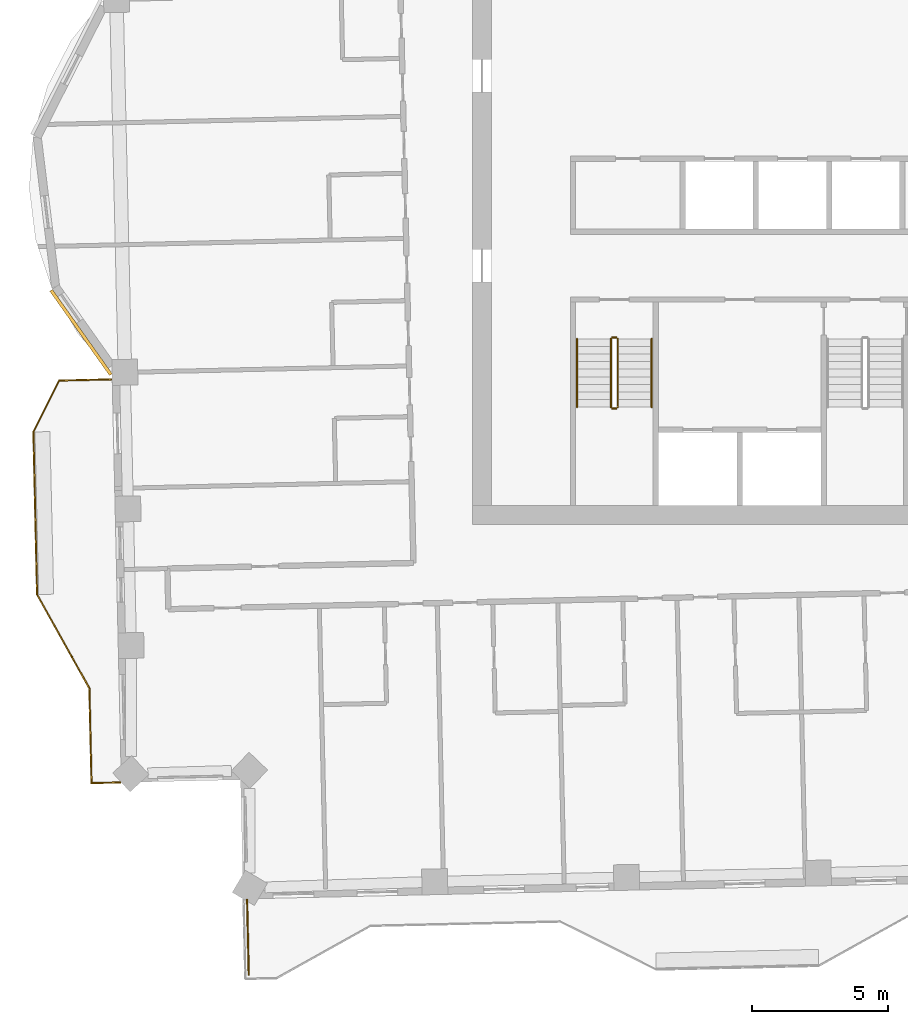
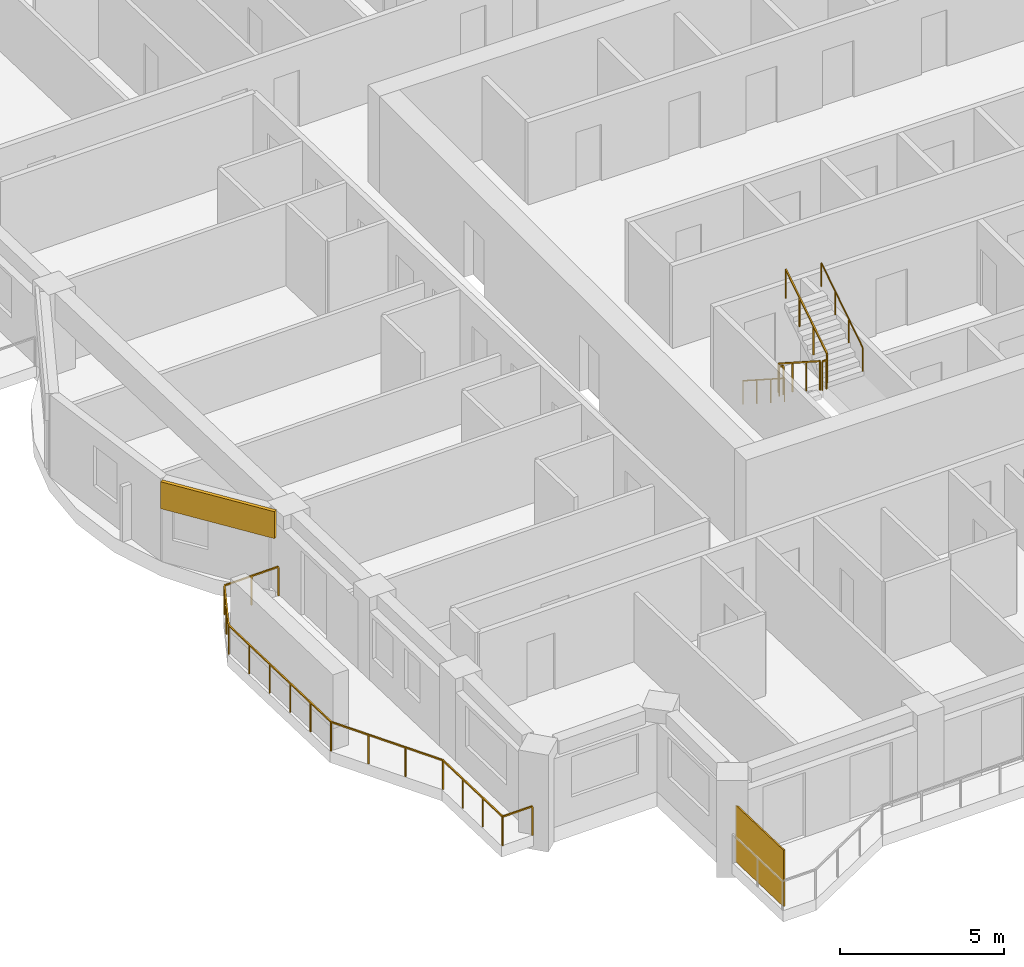
# One storey, part 16 of 20: 7 railings, 1 covering, 1 shading device.
"""IFC4 building model written with IfcOpenShell, lengths in metres."""

import ifcopenshell
import ifcopenshell.guid

model = None  # the IFC model being written
_history = None  # IfcOwnerHistory: only IFC2X3 demands one
_inside = {}  # id of a spatial element -> (the spatial element, [elements in it])
_under = {}  # id of a project, library or spatial element -> (it, [spatial elements below it])
_declared = {}  # id of a project -> (the project, [libraries it declares])
_typed = {}  # id of a type object -> (the type object, [elements of that type])
_made_of = {}  # id of a material, layer set ... -> (it, [elements and type objects made of it])


def new_model(schema):
    """Start an empty IFC model of exactly this schema.

    Asked for "IFC4X3", IfcOpenShell would pick the latest addendum, in which some entities
    have other attributes; the version numbers below select the first issue.
    IFC2X3 requires an IfcOwnerHistory on every rooted entity: one is made here for all.
    """
    global model, _history
    if schema == "IFC4X3":
        model = ifcopenshell.file(schema_version=(4, 3, 0, 0))
    else:
        model = ifcopenshell.file(schema=schema)
    _inside.clear()
    _under.clear()
    _declared.clear()
    _typed.clear()
    _made_of.clear()
    _history = None
    if model.schema == "IFC2X3":
        org = make("IfcOrganization", Name="unknown")
        user = make(
            "IfcPersonAndOrganization",
            ThePerson=make("IfcPerson", FamilyName="unknown"),
            TheOrganization=org,
        )
        app = make(
            "IfcApplication",
            ApplicationDeveloper=org,
            Version="unknown",
            ApplicationFullName="unknown",
            ApplicationIdentifier="unknown",
        )
        _history = make(
            "IfcOwnerHistory",
            OwningUser=user,
            OwningApplication=app,
            ChangeAction="ADDED",
            CreationDate=0,
        )
    return model


def make(cls, **values):
    """One entity of the class cls with the attributes given. An attribute that is None is left unset."""
    return model.create_entity(
        cls, **{name: value for name, value in values.items() if value is not None}
    )


def rooted(cls, **values):
    """An entity with a GlobalId (a new one), such as an element, a storey or a relation."""
    return make(cls, GlobalId=ifcopenshell.guid.new(), OwnerHistory=_history, **values)


def si_unit(unit_type, name, prefix=None):
    """IfcSIUnit, for example si_unit("LENGTHUNIT", "METRE", prefix="MILLI")."""
    return make("IfcSIUnit", UnitType=unit_type, Prefix=prefix, Name=name)


def assignment(units):
    """IfcUnitAssignment: the units of a project."""
    return None if units is None else make("IfcUnitAssignment", Units=units)


def point(xyz):
    """IfcCartesianPoint."""
    return None if xyz is None else make("IfcCartesianPoint", Coordinates=xyz)


def direction(xyz):
    """IfcDirection."""
    return None if xyz is None else make("IfcDirection", DirectionRatios=xyz)


def frame(location, z_axis=None, x_axis=None):
    """IfcAxis2Placement3D, a coordinate frame: its origin and axes. An axis left out is left unset."""
    return make(
        "IfcAxis2Placement3D",
        Location=point(location),
        Axis=direction(z_axis),
        RefDirection=direction(x_axis),
    )


def frame_2d(location, x_axis=None):
    """IfcAxis2Placement2D, a coordinate frame in the plane: its origin and x axis."""
    return make(
        "IfcAxis2Placement2D", Location=point(location), RefDirection=direction(x_axis)
    )


def origin():
    """The frame at (0, 0, 0) with its axes left unset."""
    return frame((0.0, 0.0, 0.0))


def origin_2d():
    """The frame at (0, 0) in the plane with its x axis left unset."""
    return frame_2d((0.0, 0.0))


def place(relative_to, where):
    """IfcLocalPlacement: puts the frame where relative to a parent placement (None: the world)."""
    return make(
        "IfcLocalPlacement", PlacementRelTo=relative_to, RelativePlacement=where
    )


def context(
    kind, dimensions, precision=None, world=None, true_north=None, identifier=None
):
    """IfcGeometricRepresentationContext, for example the 3D "Model" context."""
    return make(
        "IfcGeometricRepresentationContext",
        ContextIdentifier=identifier,
        ContextType=kind,
        CoordinateSpaceDimension=dimensions,
        Precision=precision,
        WorldCoordinateSystem=world,
        TrueNorth=true_north,
    )


def subcontext(parent, identifier, kind, view, scale=None):
    """IfcGeometricRepresentationSubContext, for example "Body" below "Model"."""
    return make(
        "IfcGeometricRepresentationSubContext",
        ContextIdentifier=identifier,
        ContextType=kind,
        ParentContext=parent,
        TargetScale=scale,
        TargetView=view,
    )


def project(units=None, contexts=None):
    """IfcProject with its units and contexts."""
    return rooted(
        "IfcProject",
        Name="project",
        RepresentationContexts=contexts,
        UnitsInContext=assignment(units),
    )


def spatial(cls, under=None, at=None, **own):
    """A site, building, storey or space (cls), placed at a placement, below another one or the project."""
    s = rooted(cls, ObjectPlacement=at, **own)
    if under is not None:
        _under.setdefault(under.id(), (under, []))[1].append(s)
    return s


def profile(cls, at=None, kind="AREA", **sizes):
    """A parametric profile (cls). Its sizes go by their IFC names, for example OverallWidth=200.0."""
    return make(cls, ProfileType=kind, Position=at, **sizes)


def rectangle(**sizes):
    """IfcRectangleProfileDef."""
    return profile("IfcRectangleProfileDef", **sizes)


def circle(**sizes):
    """IfcCircleProfileDef."""
    return profile("IfcCircleProfileDef", **sizes)


def extrude(swept, where, along, depth):
    """IfcExtrudedAreaSolid: the profile swept, set in the frame where, extruded along a direction by depth."""
    return make(
        "IfcExtrudedAreaSolid",
        SweptArea=swept,
        Position=where,
        ExtrudedDirection=direction(along),
        Depth=depth,
    )


def shape(context_of_items, identifier, shape_type, items):
    """IfcShapeRepresentation: the items that make up one representation, for example the "Body"."""
    return make(
        "IfcShapeRepresentation",
        ContextOfItems=context_of_items,
        RepresentationIdentifier=identifier,
        RepresentationType=shape_type,
        Items=items,
    )


def material(Name=None, Category=None):
    """IfcMaterial."""
    return make("IfcMaterial", Name=Name, Category=Category)


def layer(
    of_material, thickness, ventilated=None, Name=None, Category=None, Priority=None
):
    """IfcMaterialLayer: one layer of a wall or slab, of a material (None: an air gap)."""
    return make(
        "IfcMaterialLayer",
        Material=of_material,
        LayerThickness=thickness,
        IsVentilated=ventilated,
        Name=Name,
        Category=Category,
        Priority=Priority,
    )


def layer_set(layers, Name=None):
    """IfcMaterialLayerSet."""
    return make("IfcMaterialLayerSet", MaterialLayers=layers, LayerSetName=Name)


def made_of(thing, what):
    """Note that an element or type object is made of a material, layer set ...; save() writes the relation."""
    if what is not None:
        _made_of.setdefault(what.id(), (what, []))[1].append(thing)
    return thing


def type_object(cls, material=None, **own):
    """A type object (cls), such as IfcWallType, which elements share."""
    return made_of(rooted(cls, **own), material)


def element(
    cls,
    number,
    at=None,
    inside=None,
    cuts=None,
    type_object=None,
    material=None,
    context=None,
    identifier="Body",
    shape_type=None,
    held_by="IfcProductDefinitionShape",
    body=None,
    shapes=None,
    **own,
):
    """One element of the class cls, such as IfcWall. Its Tag is "e" and its number.

    at: its placement. inside: the storey or other place that contains it. cuts: it is an
    opening in that element (IfcRelVoidsElement). A single representation is given by context,
    identifier, shape_type and body (its items); several are given by shapes. held_by: the class
    of the entity that holds the representations. save() writes the other relations.
    """
    e = rooted(cls, Tag="e%d" % number, ObjectPlacement=at, **own)
    if body is not None:
        shapes = [shape(context, identifier, shape_type, body)]
    if shapes is not None:
        e.Representation = make(held_by, Representations=shapes)
    if inside is not None:
        _inside.setdefault(inside.id(), (inside, []))[1].append(e)
    if cuts is not None:
        rooted(
            "IfcRelVoidsElement", RelatingBuildingElement=cuts, RelatedOpeningElement=e
        )
    if type_object is not None:
        _typed.setdefault(type_object.id(), (type_object, []))[1].append(e)
    return made_of(e, material)


def aggregate(whole, parts):
    """IfcRelAggregates: a whole, such as a stair, and the parts it consists of."""
    return rooted("IfcRelAggregates", RelatingObject=whole, RelatedObjects=parts)


def save(model, path):
    """Write the relations noted so far, then the file.

    IfcRelAggregates (storeys below a building ...), IfcRelContainedInSpatialStructure (elements
    in a storey), IfcRelDefinesByType, IfcRelAssociatesMaterial and IfcRelDeclares: one each for
    every whole, place, type object, material and project.
    """
    for whole, parts in _under.values():
        aggregate(whole, parts)
    for where, things in _inside.values():
        rooted(
            "IfcRelContainedInSpatialStructure",
            RelatedElements=things,
            RelatingStructure=where,
        )
    for kind, things in _typed.values():
        rooted("IfcRelDefinesByType", RelatedObjects=things, RelatingType=kind)
    for what, things in _made_of.values():
        rooted("IfcRelAssociatesMaterial", RelatedObjects=things, RelatingMaterial=what)
    for by, libraries in _declared.values():
        rooted("IfcRelDeclares", RelatingContext=by, RelatedDefinitions=libraries)
    model.write(path)


model = new_model("IFC4")

# Units and contexts
model_context = context("Model", 3, precision=1e-05, world=origin(), true_north=direction((0.0, 1.0)))
body_context = subcontext(model_context, "Body", "Model", "MODEL_VIEW")
ifc_project = project(units=[si_unit("LENGTHUNIT", "METRE"), si_unit("AREAUNIT", "SQUARE_METRE"), si_unit("VOLUMEUNIT", "CUBIC_METRE"), si_unit("PLANEANGLEUNIT", "RADIAN"), si_unit("MASSUNIT", "GRAM", prefix="KILO")], contexts=[model_context])

# Site, building, storey
site_placement = place(None, origin())
site = spatial("IfcSite", under=ifc_project, at=site_placement, CompositionType="ELEMENT")
building_placement = place(site_placement, origin())
building = spatial("IfcBuilding", under=site, at=building_placement, Name="Mangrove Gate Tower", CompositionType="ELEMENT")
storey_placement = place(building_placement, frame((0.0, 0.0, 294.300048828125)))
storey = spatial("IfcBuildingStorey", under=building, at=storey_placement, Name="L75", CompositionType="ELEMENT", Elevation=294.300048828125)

# Railing
ifc_material_1 = material(Name="Stainless steel grade 316 with laminated glass infill", Category="steel")
railing_type_1 = type_object("IfcRailingType", Name="Balcony guard 1100", PredefinedType="GUARDRAIL", material=ifc_material_1)
railing_1_placement = place(storey_placement, frame((-27.839111328125, -6.14501953125, 0.0)))
element("IfcRailing", 1, at=railing_1_placement, inside=storey, type_object=railing_type_1, Name="GUARD L75 W2", PredefinedType="GUARDRAIL", context=body_context, shape_type="SweptSolid", body=[
    extrude(rectangle(XDim=0.048095703125, YDim=0.048095703125, at=origin_2d()), frame((0.0, 0.0, 1.076171875), z_axis=(-0.999737613728, -0.02290641172, 0.0), x_axis=(0.02290641172, -0.999737613728, 0.0)), (0.0, 0.0, 1.0), 1.91845703125),
    extrude(rectangle(XDim=0.048095703125, YDim=0.048095703125, at=origin_2d()), frame((-1.91796875, -0.0439453125, 1.076171875), z_axis=(-0.4472135955, -0.894427191, 0.0), x_axis=(0.894427191, -0.4472135955, 0.0)), (0.0, 0.0, 1.0), 2.119873046875),
    extrude(rectangle(XDim=0.048095703125, YDim=0.048095703125, at=origin_2d()), frame((-2.865966796875, -1.93994140625, 1.076171875), z_axis=(0.022662255828, -0.999743178102, 0.0), x_axis=(0.999743178102, 0.022662255828, 0.0)), (0.0, 0.0, 1.0), 6.00048828125),
    extrude(rectangle(XDim=0.048095703125, YDim=0.048095703125, at=origin_2d()), frame((-2.72998046875, -7.93896484375, 1.076171875), z_axis=(0.487307108654, -0.873230657876, 0.0), x_axis=(0.873230657876, 0.487307108654, 0.0)), (0.0, 0.0, 1.0), 3.958984375),
    extrude(rectangle(XDim=0.048095703125, YDim=0.048095703125, at=origin_2d()), frame((-0.80078125, -11.39599609375, 1.076171875), z_axis=(0.022531258923, -0.999746138963, 0.0), x_axis=(0.999746138963, 0.022531258923, 0.0)), (0.0, 0.0, 1.0), 3.5),
    extrude(rectangle(XDim=0.048095703125, YDim=0.048095703125, at=origin_2d()), frame((-0.721923828125, -14.89501953125, 1.076171875), z_axis=(0.999745389313, 0.022564497502, 0.0), x_axis=(-0.022564497502, 0.999745389313, 0.0)), (0.0, 0.0, 1.0), 1.060302734375),
    extrude(rectangle(XDim=0.0419921875, YDim=0.0419921875, at=origin_2d()), origin(), (0.0, 0.0, 1.0), 1.052001953125),
    extrude(rectangle(XDim=0.0419921875, YDim=0.0419921875, at=origin_2d()), frame((-0.958984375, -0.02197265625, 0.0)), (0.0, 0.0, 1.0), 1.052001953125),
    extrude(rectangle(XDim=0.0419921875, YDim=0.0419921875, at=origin_2d()), frame((-1.91796875, -0.0439453125, 0.0)), (0.0, 0.0, 1.0), 1.052001953125),
    extrude(rectangle(XDim=0.0419921875, YDim=0.0419921875, at=origin_2d()), frame((-2.39208984375, -0.991943359375, 0.0)), (0.0, 0.0, 1.0), 1.052001953125),
    extrude(rectangle(XDim=0.0419921875, YDim=0.0419921875, at=origin_2d()), frame((-2.865966796875, -1.93994140625, 0.0)), (0.0, 0.0, 1.0), 1.052001953125),
    extrude(rectangle(XDim=0.0419921875, YDim=0.0419921875, at=origin_2d()), frame((-2.8388671875, -3.1396484375, 0.0)), (0.0, 0.0, 1.0), 1.052001953125),
    extrude(rectangle(XDim=0.0419921875, YDim=0.0419921875, at=origin_2d()), frame((-2.8115234375, -4.339599609375, 0.0)), (0.0, 0.0, 1.0), 1.052001953125),
    extrude(rectangle(XDim=0.0419921875, YDim=0.0419921875, at=origin_2d()), frame((-2.784423828125, -5.539306640625, 0.0)), (0.0, 0.0, 1.0), 1.052001953125),
    extrude(rectangle(XDim=0.0419921875, YDim=0.0419921875, at=origin_2d()), frame((-2.757080078125, -6.7392578125, 0.0)), (0.0, 0.0, 1.0), 1.052001953125),
    extrude(rectangle(XDim=0.0419921875, YDim=0.0419921875, at=origin_2d()), frame((-2.72998046875, -7.93896484375, 0.0)), (0.0, 0.0, 1.0), 1.052001953125),
    extrude(rectangle(XDim=0.0419921875, YDim=0.0419921875, at=origin_2d()), frame((-2.0869140625, -9.09130859375, 0.0)), (0.0, 0.0, 1.0), 1.052001953125),
    extrude(rectangle(XDim=0.0419921875, YDim=0.0419921875, at=origin_2d()), frame((-1.44384765625, -10.24365234375, 0.0)), (0.0, 0.0, 1.0), 1.052001953125),
    extrude(rectangle(XDim=0.0419921875, YDim=0.0419921875, at=origin_2d()), frame((-0.80078125, -11.39599609375, 0.0)), (0.0, 0.0, 1.0), 1.052001953125),
    extrude(rectangle(XDim=0.0419921875, YDim=0.0419921875, at=origin_2d()), frame((-0.7744140625, -12.562255859375, 0.0)), (0.0, 0.0, 1.0), 1.052001953125),
    extrude(rectangle(XDim=0.0419921875, YDim=0.0419921875, at=origin_2d()), frame((-0.748291015625, -13.728759765625, 0.0)), (0.0, 0.0, 1.0), 1.052001953125),
    extrude(rectangle(XDim=0.0419921875, YDim=0.0419921875, at=origin_2d()), frame((-0.721923828125, -14.89501953125, 0.0)), (0.0, 0.0, 1.0), 1.052001953125),
    extrude(rectangle(XDim=0.0419921875, YDim=0.0419921875, at=origin_2d()), frame((0.338134765625, -14.87109375, 0.0)), (0.0, 0.0, 1.0), 1.052001953125),
])

# Shading device
ifc_material_2 = material(Name="Timber slat screen in teak", Category="wood")
shading_device_type = type_object("IfcShadingDeviceType", Name="Balcony screen 2100", PredefinedType="USERDEFINED", material=ifc_material_2)
shading_device_placement = place(storey_placement, frame((-22.791015625, -26.72509765625, 0.0), z_axis=(0.0, 0.0, 1.0), x_axis=(0.022739679942, -0.999741420046, 0.0)))
element("IfcShadingDevice", 2, at=shading_device_placement, inside=storey, type_object=shading_device_type, Name="SCREEN L75 S0", ObjectType="SCREEN", PredefinedType="USERDEFINED", context=body_context, shape_type="SweptSolid", body=[
    extrude(rectangle(XDim=2.7900390625, YDim=0.050048828125, at=origin_2d()), origin(), (0.0, 0.0, 1.0), 2.10009765625),
])

# Railings
ifc_material_3 = material(Name="Stainless steel 316", Category="steel")
railing_type_2 = type_object("IfcRailingType", Name="Core stair guard 1100", PredefinedType="GUARDRAIL", material=ifc_material_3)
railing_2_placement = place(storey_placement, frame((-9.39990234375, -4.64990234375, 0.179931640625)))
element("IfcRailing", 3, at=railing_2_placement, inside=storey, type_object=railing_type_2, Name="L75 ST1 stair guard 1", PredefinedType="GUARDRAIL", context=body_context, shape_type="SweptSolid", body=[
    extrude(rectangle(XDim=0.048095703125, YDim=0.048095703125, at=origin_2d()), frame((0.0, 0.0, 1.076171875), z_axis=(0.0, -0.841162588446, 0.540782303519), x_axis=(1.0, 0.0, 0.0)), (0.0, 0.0, 1.0), 2.995849609375),
    extrude(rectangle(XDim=0.0419921875, YDim=0.0419921875, at=origin_2d()), origin(), (0.0, 0.0, 1.0), 1.052001953125),
    extrude(rectangle(XDim=0.0419921875, YDim=0.0419921875, at=origin_2d()), frame((0.0, -0.840087890625, 0.5400390625)), (0.0, 0.0, 1.0), 1.052001953125),
    extrude(rectangle(XDim=0.0419921875, YDim=0.0419921875, at=origin_2d()), frame((0.0, -1.679931640625, 1.080078125)), (0.0, 0.0, 1.0), 1.052001953125),
    extrude(rectangle(XDim=0.0419921875, YDim=0.0419921875, at=origin_2d()), frame((0.0, -2.52001953125, 1.6201171875)), (0.0, 0.0, 1.0), 1.052001953125),
])
railing_3_placement = place(storey_placement, frame((-9.35009765625, -7.219970703125, 1.800048828125)))
element("IfcRailing", 4, at=railing_3_placement, inside=storey, type_object=railing_type_2, Name="L75 ST1 stair guard 2", PredefinedType="GUARDRAIL", context=body_context, shape_type="SweptSolid", body=[
    extrude(rectangle(XDim=0.048095703125, YDim=0.048095703125, at=origin_2d()), frame((0.0, 0.0, 1.076171875), z_axis=(1.0, 0.0, 0.0), x_axis=(0.0, 1.0, 0.0)), (0.0, 0.0, 1.0), 0.150146484375),
    extrude(rectangle(XDim=0.0419921875, YDim=0.0419921875, at=origin_2d()), origin(), (0.0, 0.0, 1.0), 1.052001953125),
    extrude(rectangle(XDim=0.0419921875, YDim=0.0419921875, at=origin_2d()), frame((0.150146484375, 0.0, 0.0)), (0.0, 0.0, 1.0), 1.052001953125),
])
railing_4_placement = place(storey_placement, frame((-9.14990234375, -7.169921875, 1.97998046875)))
element("IfcRailing", 5, at=railing_4_placement, inside=storey, type_object=railing_type_2, Name="L75 ST1 stair guard 3", PredefinedType="GUARDRAIL", context=body_context, shape_type="SweptSolid", body=[
    extrude(rectangle(XDim=0.048095703125, YDim=0.048095703125, at=origin_2d()), frame((0.0, 0.0, 1.076171875), z_axis=(0.0, 0.841199657755, 0.540724639528), x_axis=(-1.0, 0.0, 0.0)), (0.0, 0.0, 1.0), 2.995849609375),
    extrude(rectangle(XDim=0.0419921875, YDim=0.0419921875, at=origin_2d()), origin(), (0.0, 0.0, 1.0), 1.052001953125),
    extrude(rectangle(XDim=0.0419921875, YDim=0.0419921875, at=origin_2d()), frame((0.0, 0.840087890625, 0.5400390625)), (0.0, 0.0, 1.0), 1.052001953125),
    extrude(rectangle(XDim=0.0419921875, YDim=0.0419921875, at=origin_2d()), frame((0.0, 1.679931640625, 1.079833984375)), (0.0, 0.0, 1.0), 1.052001953125),
    extrude(rectangle(XDim=0.0419921875, YDim=0.0419921875, at=origin_2d()), frame((0.0, 2.52001953125, 1.619873046875)), (0.0, 0.0, 1.0), 1.052001953125),
])
railing_5_placement = place(storey_placement, frame((-9.35009765625, -4.60009765625, 0.0)))
element("IfcRailing", 6, at=railing_5_placement, inside=storey, type_object=railing_type_2, Name="L75 ST1 stair guard 4", PredefinedType="GUARDRAIL", context=body_context, shape_type="SweptSolid", body=[
    extrude(rectangle(XDim=0.048095703125, YDim=0.048095703125, at=origin_2d()), frame((0.0, 0.0, 1.076171875), z_axis=(1.0, 0.0, 0.0), x_axis=(0.0, 1.0, 0.0)), (0.0, 0.0, 1.0), 0.150146484375),
    extrude(rectangle(XDim=0.0419921875, YDim=0.0419921875, at=origin_2d()), origin(), (0.0, 0.0, 1.0), 1.052001953125),
    extrude(rectangle(XDim=0.0419921875, YDim=0.0419921875, at=origin_2d()), frame((0.150146484375, 0.0, 0.0)), (0.0, 0.0, 1.0), 1.052001953125),
])
ifc_material_4 = material(Name="Stainless steel 316", Category="steel")
railing_type_3 = type_object("IfcRailingType", Name="Core stair handrail 900", PredefinedType="HANDRAIL", material=ifc_material_4)
railing_6_placement = place(storey_placement, frame((-10.64990234375, -4.64990234375, 0.179931640625)))
element("IfcRailing", 7, at=railing_6_placement, inside=storey, type_object=railing_type_3, Name="L75 ST1 stair handrail 1", PredefinedType="HANDRAIL", context=body_context, shape_type="SweptSolid", body=[
    extrude(circle(Radius=0.02392578125, at=origin_2d()), frame((0.0, 0.0, 0.8759765625), z_axis=(0.0, -0.841162588446, 0.540782303519), x_axis=(1.0, 0.0, 0.0)), (0.0, 0.0, 1.0), 2.995849609375),
    extrude(circle(Radius=0.02099609375, at=origin_2d()), origin(), (0.0, 0.0, 1.0), 0.851806640625),
    extrude(circle(Radius=0.02099609375, at=origin_2d()), frame((0.0, -0.840087890625, 0.5400390625)), (0.0, 0.0, 1.0), 0.851806640625),
    extrude(circle(Radius=0.02099609375, at=origin_2d()), frame((0.0, -1.679931640625, 1.080078125)), (0.0, 0.0, 1.0), 0.851806640625),
    extrude(circle(Radius=0.02099609375, at=origin_2d()), frame((0.0, -2.52001953125, 1.6201171875)), (0.0, 0.0, 1.0), 0.851806640625),
])
railing_7_placement = place(storey_placement, frame((-7.89990234375, -7.169921875, 1.97998046875)))
element("IfcRailing", 8, at=railing_7_placement, inside=storey, type_object=railing_type_3, Name="L75 ST1 stair handrail 2", PredefinedType="HANDRAIL", context=body_context, shape_type="SweptSolid", body=[
    extrude(circle(Radius=0.02392578125, at=origin_2d()), frame((0.0, 0.0, 0.8759765625), z_axis=(0.0, 0.841199657755, 0.540724639528), x_axis=(-1.0, 0.0, 0.0)), (0.0, 0.0, 1.0), 2.995849609375),
    extrude(circle(Radius=0.02099609375, at=origin_2d()), origin(), (0.0, 0.0, 1.0), 0.851806640625),
    extrude(circle(Radius=0.02099609375, at=origin_2d()), frame((0.0, 0.840087890625, 0.5400390625)), (0.0, 0.0, 1.0), 0.851806640625),
    extrude(circle(Radius=0.02099609375, at=origin_2d()), frame((0.0, 1.679931640625, 1.079833984375)), (0.0, 0.0, 1.0), 0.851806640625),
    extrude(circle(Radius=0.02099609375, at=origin_2d()), frame((0.0, 2.52001953125, 1.619873046875)), (0.0, 0.0, 1.0), 0.851806640625),
])

# Covering
ifc_material_5 = material(Name="Limestone", Category="masonry")
ifc_layer_1 = layer(ifc_material_5, 0.0400390625, Name="Limestone cladding")
ifc_material_6 = material(Name="Stainless steel anchors and cavity", Category="steel")
ifc_layer_2 = layer(ifc_material_6, 0.080078125, Name="Fixing cavity")
ifc_layer_set = layer_set([ifc_layer_1, ifc_layer_2], Name="Joint fascia cladding 120")
covering_type = type_object("IfcCoveringType", Name="Joint fascia cladding 120", PredefinedType="CLADDING", material=ifc_layer_set)
covering_placement = place(storey_placement, frame((-30.053955078125, -2.85888671875, 2.050048828125), z_axis=(0.0, 0.0, 1.0), x_axis=(0.578137942148, -0.815939041748, 0.0)))
element("IfcCovering", 9, at=covering_placement, inside=storey, type_object=covering_type, Name="STONE FASCIA L75 W9.L2", PredefinedType="CLADDING", context=body_context, shape_type="SweptSolid", body=[
    extrude(rectangle(XDim=3.819091796875, YDim=0.1201171875, at=frame_2d((1.90966796875, 0.0))), origin(), (0.0, 0.0, 1.0), 1.0),
])

save(model, "model.ifc")
